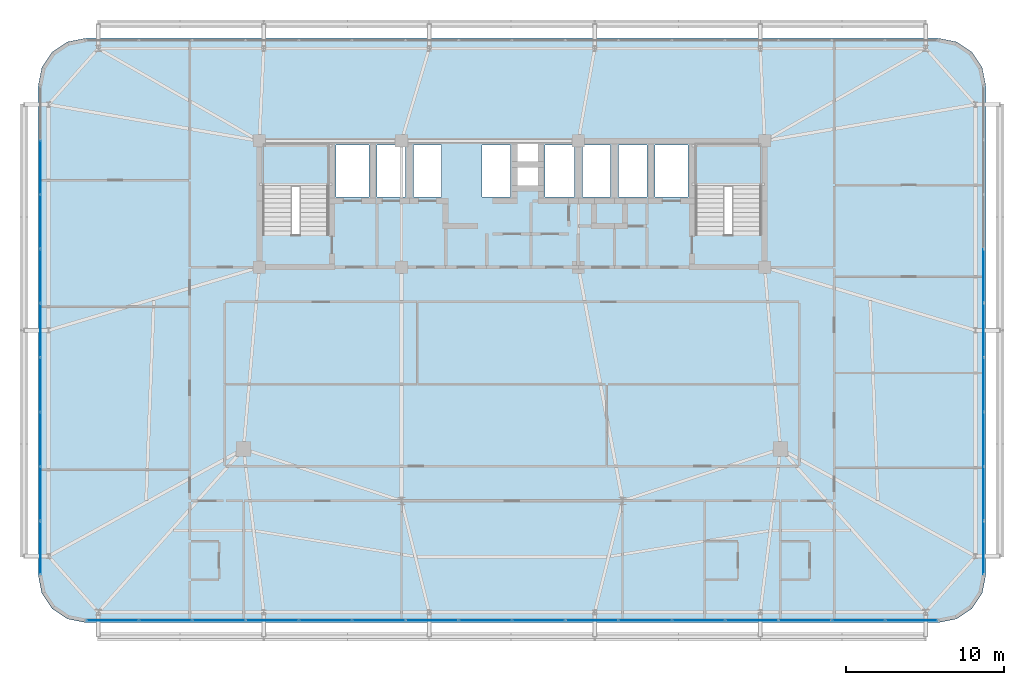
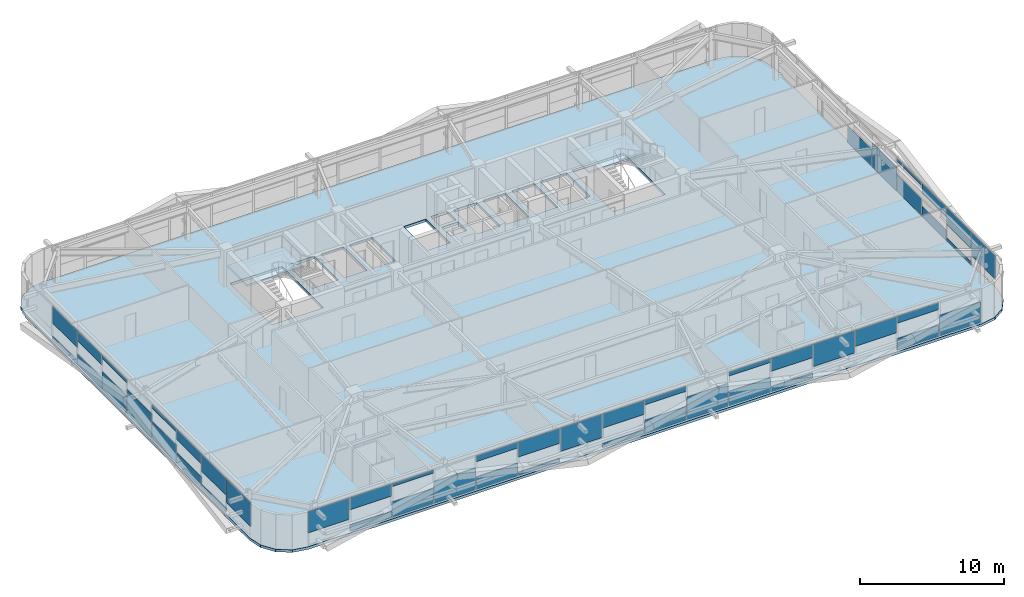
# One storey, part 42 of 59: 48 plates, 3 slabs, 5 elements without a shape of their own.
"""IFC4 building model written with IfcOpenShell, lengths in metres."""

from ifc_helpers import new_model, si_unit, direction, frame, origin, origin_2d, place, context, subcontext, project, spatial, polyline, rectangle, outline, extrude, source, transform, mapped, material, layer, layer_set, type_object, element, aggregate, save


model = new_model("IFC4")

# Units and contexts
model_context = context("Model", 3, precision=1e-05, world=origin(), true_north=direction((0.0, 1.0)))
body_context = subcontext(model_context, "Body", "Model", "MODEL_VIEW")
ifc_project = project(units=[si_unit("LENGTHUNIT", "METRE"), si_unit("AREAUNIT", "SQUARE_METRE"), si_unit("VOLUMEUNIT", "CUBIC_METRE"), si_unit("PLANEANGLEUNIT", "RADIAN"), si_unit("MASSUNIT", "GRAM", prefix="KILO")], contexts=[model_context])

# Site, building, storey
site_placement = place(None, origin())
site = spatial("IfcSite", under=ifc_project, at=site_placement, CompositionType="ELEMENT")
building_placement = place(site_placement, origin())
building = spatial("IfcBuilding", under=site, at=building_placement, Name="Taldren Reach Tower", CompositionType="ELEMENT")
storey_placement = place(building_placement, frame((0.0, 0.0, 29.39990234375)))
storey = spatial("IfcBuildingStorey", under=building, at=storey_placement, Name="L08", CompositionType="ELEMENT", Elevation=29.39990234375)

# Slab
ifc_material_1 = material(Name="Concrete N40 (40 MPa)", Category="concrete")
ifc_layer_1 = layer(ifc_material_1, 0.219970703125)
ifc_layer_set_1 = layer_set([ifc_layer_1], Name="Concrete N40 (40 MPa)")
slab_type_1 = type_object("IfcSlabType", Name="SL-FLR-220", PredefinedType="FLOOR", material=ifc_layer_set_1)
slab_1_placement = place(storey_placement, frame((0.0, 0.0, -0.219970703125)))
element("IfcSlab", 1, at=slab_1_placement, inside=storey, type_object=slab_type_1, Name="Suspended floor slab L08", PredefinedType="FLOOR", context=body_context, shape_type="SweptSolid", body=[
    extrude(outline(polyline([(62.0, 1.5), (63.14794921875, 1.728271484375), (64.121337890625, 2.378662109375), (64.771728515625, 3.35205078125), (65.0, 4.5), (65.0, 35.5), (64.771728515625, 36.64794921875), (64.121337890625, 37.621337890625), (63.14794921875, 38.271728515625), (62.0, 38.5), (8.0, 38.5), (6.85205078125, 38.271728515625), (5.878662109375, 37.621337890625), (5.228271484375, 36.64794921875), (5.0, 35.5), (5.0, 4.5), (5.228271484375, 3.35205078125), (5.878662109375, 2.378662109375), (6.85205078125, 1.728271484375), (8.0, 1.5), (62.0, 1.5)]), holes=[polyline([(19.219970703125, 26.050048828125), (23.3798828125, 26.050048828125), (23.3798828125, 31.820068359375), (19.219970703125, 31.820068359375), (19.219970703125, 26.050048828125)]), polyline([(46.6201171875, 26.050048828125), (50.780029296875, 26.050048828125), (50.780029296875, 31.820068359375), (46.6201171875, 31.820068359375), (46.6201171875, 26.050048828125)]), polyline([(23.85009765625, 28.449951171875), (25.949951171875, 28.449951171875), (25.949951171875, 31.75), (23.85009765625, 31.75), (23.85009765625, 28.449951171875)]), polyline([(44.050048828125, 28.449951171875), (46.14990234375, 28.449951171875), (46.14990234375, 31.75), (44.050048828125, 31.75), (44.050048828125, 28.449951171875)]), polyline([(26.449951171875, 28.449951171875), (28.25, 28.449951171875), (28.25, 31.75), (26.449951171875, 31.75), (26.449951171875, 28.449951171875)]), polyline([(28.75, 28.449951171875), (30.550048828125, 28.449951171875), (30.550048828125, 31.75), (28.75, 31.75), (28.75, 28.449951171875)]), polyline([(33.10009765625, 28.449951171875), (34.89990234375, 28.449951171875), (34.89990234375, 31.75), (33.10009765625, 31.75), (33.10009765625, 28.449951171875)]), polyline([(37.10009765625, 28.449951171875), (38.949951171875, 28.449951171875), (38.949951171875, 31.75), (37.10009765625, 31.75), (37.10009765625, 28.449951171875)]), polyline([(39.449951171875, 28.449951171875), (41.25, 28.449951171875), (41.25, 31.75), (39.449951171875, 31.75), (39.449951171875, 28.449951171875)]), polyline([(41.75, 28.449951171875), (43.550048828125, 28.449951171875), (43.550048828125, 31.75), (41.75, 31.75), (41.75, 28.449951171875)]), polyline([(35.35009765625, 30.64990234375), (36.64990234375, 30.64990234375), (36.64990234375, 31.85009765625), (35.35009765625, 31.85009765625), (35.35009765625, 30.64990234375)]), polyline([(35.35009765625, 29.14990234375), (36.64990234375, 29.14990234375), (36.64990234375, 30.35009765625), (35.35009765625, 30.35009765625), (35.35009765625, 29.14990234375)])]), origin(), (0.0, 0.0, 1.0), 0.219970703125),
])

# Stair, slab
ifc_material_2 = material(Name="Concrete S50 (50 MPa)", Category="concrete")
stair_type = type_object("IfcStairType", Name="ST-HT-315", PredefinedType="HALF_TURN_STAIR", material=ifc_material_2)
stair_1_placement = place(storey_placement, origin())
stair_1 = element("IfcStair", 2, at=stair_1_placement, inside=storey, type_object=stair_type, Name="Fire-isolated exit stair ST1 L08", PredefinedType="HALF_TURN_STAIR")
ifc_layer_2 = layer(ifc_material_2, 0.179931640625)
ifc_layer_set_2 = layer_set([ifc_layer_2], Name="Concrete S50 (50 MPa)")
slab_type_2 = type_object("IfcSlabType", Name="SL-LAND-180", PredefinedType="LANDING", material=ifc_layer_set_2)
slab_2_placement = place(storey_placement, frame((0.0, 0.0, 1.39501953125)))
slab_2 = element("IfcSlab", 3, at=slab_2_placement, type_object=slab_type_2, Name="ST1 landing 1", PredefinedType="LANDING", context=body_context, shape_type="SweptSolid", body=[
    extrude(outline(polyline([(19.0400390625, 29.135009765625), (23.56005859375, 29.135009765625), (23.56005859375, 31.8701171875), (19.0400390625, 31.8701171875), (19.0400390625, 29.135009765625)])), origin(), (0.0, 0.0, 1.0), 0.18017578125),
])
aggregate(stair_1, [slab_2])

stair_2_placement = place(storey_placement, origin())
stair_2 = element("IfcStair", 4, at=stair_2_placement, inside=storey, type_object=stair_type, Name="Fire-isolated exit stair ST2 L08", PredefinedType="HALF_TURN_STAIR")
slab_3_placement = place(storey_placement, frame((0.0, 0.0, 1.39501953125)))
slab_3 = element("IfcSlab", 5, at=slab_3_placement, type_object=slab_type_2, Name="ST2 landing 1", PredefinedType="LANDING", context=body_context, shape_type="SweptSolid", body=[
    extrude(outline(polyline([(46.43994140625, 29.135009765625), (50.9599609375, 29.135009765625), (50.9599609375, 31.8701171875), (46.43994140625, 31.8701171875), (46.43994140625, 29.135009765625)])), origin(), (0.0, 0.0, 1.0), 0.18017578125),
])
aggregate(stair_2, [slab_3])

# Curtain wall, plates
ifc_material_3 = material(Name="Aluminium and Low-E Glass Unitised System", Category="aluminium")
ifc_layer_3 = layer(ifc_material_3, 0.159912109375)
ifc_layer_set_3 = layer_set([ifc_layer_3], Name="Aluminium and Low-E Glass Unitised System")
curtain_wall_type = type_object("IfcCurtainWallType", Name="CW-SYS-2", PredefinedType="NOTDEFINED", material=ifc_layer_set_3)
curtain_wall_1_placement = place(storey_placement, origin())
curtain_wall_1 = element("IfcCurtainWall", 6, at=curtain_wall_1_placement, inside=storey, type_object=curtain_wall_type, Name="Unitised curtain wall CW-L08-S", PredefinedType="NOTDEFINED")
ifc_material_4 = material(Name="Solar-Control Double Glazed IGU", Category="glass")
ifc_layer_4 = layer(ifc_material_4, 0.031982421875)
ifc_layer_set_4 = layer_set([ifc_layer_4], Name="Solar-Control Double Glazed IGU")
plate_type = type_object("IfcPlateType", Name="CW-PNL-IGU32", PredefinedType="CURTAIN_PANEL", material=ifc_layer_set_4)
shared_shape_1 = source(origin(), body_context, "Body", "SweptSolid", [
    extrude(rectangle(XDim=3.277587890625, YDim=0.031982421875, at=origin_2d()), origin(), (0.0, 0.0, 1.0), 1.73876953125),
])
plate_1_placement = place(storey_placement, frame((60.296142578125, 1.639892578125, 0.05517578125), z_axis=(0.0, 0.0, 1.0), x_axis=(1.0, 0.0, 0.0)))
plate_1 = element("IfcPlate", 7, at=plate_1_placement, type_object=plate_type, Name="CW-2 panel 16.1 part 1", PredefinedType="CURTAIN_PANEL", context=body_context, shape_type="MappedRepresentation", body=[
    mapped(shared_shape_1, transform((0.0, 0.0, 0.0), scale=1.0)),
])
shared_shape_2 = source(origin(), body_context, "Body", "SweptSolid", [
    extrude(rectangle(XDim=3.31005859375, YDim=0.031982421875, at=origin_2d()), origin(), (0.0, 0.0, 1.0), 0.9560546875),
])
plate_2_placement = place(storey_placement, frame((56.9375, 1.639892578125, 0.05517578125), z_axis=(0.0, 0.0, 1.0), x_axis=(1.0, 0.0, 0.0)))
plate_2 = element("IfcPlate", 8, at=plate_2_placement, type_object=plate_type, Name="CW-2 panel 15.1 part 1", PredefinedType="CURTAIN_PANEL", context=body_context, shape_type="MappedRepresentation", body=[
    mapped(shared_shape_2, transform((0.0, 0.0, 0.0), scale=1.0)),
])
shared_shape_3 = source(origin(), body_context, "Body", "SweptSolid", [
    extrude(rectangle(XDim=3.31005859375, YDim=0.031982421875, at=origin_2d()), origin(), (0.0, 0.0, 1.0), 0.562744140625),
])
plate_3_placement = place(storey_placement, frame((56.9375, 1.639892578125, 2.3125), z_axis=(0.0, 0.0, 1.0), x_axis=(1.0, 0.0, 0.0)))
plate_3 = element("IfcPlate", 9, at=plate_3_placement, type_object=plate_type, Name="CW-2 panel 15.1 part 2", PredefinedType="CURTAIN_PANEL", context=body_context, shape_type="MappedRepresentation", body=[
    mapped(shared_shape_3, transform((0.0, 0.0, 0.0), scale=1.0)),
])
shared_shape_4 = source(origin(), body_context, "Body", "SweptSolid", [
    extrude(rectangle(XDim=3.31005859375, YDim=0.031982421875, at=origin_2d()), origin(), (0.0, 0.0, 1.0), 1.345458984375),
])
plate_4_placement = place(storey_placement, frame((53.5625, 1.639892578125, 1.52978515625), z_axis=(0.0, 0.0, 1.0), x_axis=(1.0, 0.0, 0.0)))
plate_4 = element("IfcPlate", 10, at=plate_4_placement, type_object=plate_type, Name="CW-2 panel 14.1 part 1", PredefinedType="CURTAIN_PANEL", context=body_context, shape_type="MappedRepresentation", body=[
    mapped(shared_shape_4, transform((0.0, 0.0, 0.0), scale=1.0)),
])
shared_shape_5 = source(origin(), body_context, "Body", "SweptSolid", [
    extrude(rectangle(XDim=3.31005859375, YDim=0.031982421875, at=origin_2d()), origin(), (0.0, 0.0, 1.0), 1.881103515625),
])
plate_5_placement = place(storey_placement, frame((50.1875, 1.639892578125, 0.994140625), z_axis=(0.0, 0.0, 1.0), x_axis=(1.0, 0.0, 0.0)))
plate_5 = element("IfcPlate", 11, at=plate_5_placement, type_object=plate_type, Name="CW-2 panel 13.1 part 1", PredefinedType="CURTAIN_PANEL", context=body_context, shape_type="MappedRepresentation", body=[
    mapped(shared_shape_5, transform((0.0, 0.0, 0.0), scale=1.0)),
])
shared_shape_6 = source(origin(), body_context, "Body", "SweptSolid", [
    extrude(rectangle(XDim=3.31005859375, YDim=0.031982421875, at=origin_2d()), origin(), (0.0, 0.0, 1.0), 0.42041015625),
])
plate_6_placement = place(storey_placement, frame((46.8125, 1.639892578125, 0.05517578125), z_axis=(0.0, 0.0, 1.0), x_axis=(1.0, 0.0, 0.0)))
plate_6 = element("IfcPlate", 12, at=plate_6_placement, type_object=plate_type, Name="CW-2 panel 12.1 part 1", PredefinedType="CURTAIN_PANEL", context=body_context, shape_type="MappedRepresentation", body=[
    mapped(shared_shape_6, transform((0.0, 0.0, 0.0), scale=1.0)),
])
shared_shape_7 = source(origin(), body_context, "Body", "SweptSolid", [
    extrude(rectangle(XDim=3.31005859375, YDim=0.031982421875, at=origin_2d()), origin(), (0.0, 0.0, 1.0), 1.098388671875),
])
plate_7_placement = place(storey_placement, frame((46.8125, 1.639892578125, 1.77685546875), z_axis=(0.0, 0.0, 1.0), x_axis=(1.0, 0.0, 0.0)))
plate_7 = element("IfcPlate", 13, at=plate_7_placement, type_object=plate_type, Name="CW-2 panel 12.1 part 2", PredefinedType="CURTAIN_PANEL", context=body_context, shape_type="MappedRepresentation", body=[
    mapped(shared_shape_7, transform((0.0, 0.0, 0.0), scale=1.0)),
])
shared_shape_8 = source(origin(), body_context, "Body", "SweptSolid", [
    extrude(rectangle(XDim=3.31005859375, YDim=0.031982421875, at=origin_2d()), origin(), (0.0, 0.0, 1.0), 1.203125),
])
plate_8_placement = place(storey_placement, frame((43.4375, 1.639892578125, 0.05517578125), z_axis=(0.0, 0.0, 1.0), x_axis=(1.0, 0.0, 0.0)))
plate_8 = element("IfcPlate", 14, at=plate_8_placement, type_object=plate_type, Name="CW-2 panel 11.1 part 1", PredefinedType="CURTAIN_PANEL", context=body_context, shape_type="MappedRepresentation", body=[
    mapped(shared_shape_8, transform((0.0, 0.0, 0.0), scale=1.0)),
])
shared_shape_9 = source(origin(), body_context, "Body", "SweptSolid", [
    extrude(rectangle(XDim=3.31005859375, YDim=0.031982421875, at=origin_2d()), origin(), (0.0, 0.0, 1.0), 0.31591796875),
])
plate_9_placement = place(storey_placement, frame((43.4375, 1.639892578125, 2.55908203125), z_axis=(0.0, 0.0, 1.0), x_axis=(1.0, 0.0, 0.0)))
plate_9 = element("IfcPlate", 15, at=plate_9_placement, type_object=plate_type, Name="CW-2 panel 11.1 part 2", PredefinedType="CURTAIN_PANEL", context=body_context, shape_type="MappedRepresentation", body=[
    mapped(shared_shape_9, transform((0.0, 0.0, 0.0), scale=1.0)),
])
shared_shape_10 = source(origin(), body_context, "Body", "SweptSolid", [
    extrude(rectangle(XDim=3.31005859375, YDim=0.031982421875, at=origin_2d()), origin(), (0.0, 0.0, 1.0), 1.9033203125),
])
plate_10_placement = place(storey_placement, frame((40.0625, 1.639892578125, 0.05517578125), z_axis=(0.0, 0.0, 1.0), x_axis=(1.0, 0.0, 0.0)))
plate_10 = element("IfcPlate", 16, at=plate_10_placement, type_object=plate_type, Name="CW-2 panel 10.1 part 1", PredefinedType="CURTAIN_PANEL", context=body_context, shape_type="MappedRepresentation", body=[
    mapped(shared_shape_10, transform((0.0, 0.0, 0.0), scale=1.0)),
])
shared_shape_11 = source(origin(), body_context, "Body", "SweptSolid", [
    extrude(rectangle(XDim=3.31005859375, YDim=0.031982421875, at=origin_2d()), origin(), (0.0, 0.0, 1.0), 1.120849609375),
])
plate_11_placement = place(storey_placement, frame((36.6875, 1.639892578125, 0.05517578125), z_axis=(0.0, 0.0, 1.0), x_axis=(1.0, 0.0, 0.0)))
plate_11 = element("IfcPlate", 17, at=plate_11_placement, type_object=plate_type, Name="CW-2 panel 9.1 part 1", PredefinedType="CURTAIN_PANEL", context=body_context, shape_type="MappedRepresentation", body=[
    mapped(shared_shape_11, transform((0.0, 0.0, 0.0), scale=1.0)),
])
shared_shape_12 = source(origin(), body_context, "Body", "SweptSolid", [
    extrude(rectangle(XDim=3.31005859375, YDim=0.031982421875, at=origin_2d()), origin(), (0.0, 0.0, 1.0), 0.398193359375),
])
plate_12_placement = place(storey_placement, frame((36.6875, 1.639892578125, 2.47705078125), z_axis=(0.0, 0.0, 1.0), x_axis=(1.0, 0.0, 0.0)))
plate_12 = element("IfcPlate", 18, at=plate_12_placement, type_object=plate_type, Name="CW-2 panel 9.1 part 2", PredefinedType="CURTAIN_PANEL", context=body_context, shape_type="MappedRepresentation", body=[
    mapped(shared_shape_12, transform((0.0, 0.0, 0.0), scale=1.0)),
])
shared_shape_13 = source(origin(), body_context, "Body", "SweptSolid", [
    extrude(rectangle(XDim=3.31005859375, YDim=0.031982421875, at=origin_2d()), origin(), (0.0, 0.0, 1.0), 0.338134765625),
])
plate_13_placement = place(storey_placement, frame((33.3125, 1.639892578125, 0.05517578125), z_axis=(0.0, 0.0, 1.0), x_axis=(1.0, 0.0, 0.0)))
plate_13 = element("IfcPlate", 19, at=plate_13_placement, type_object=plate_type, Name="CW-2 panel 8.1 part 1", PredefinedType="CURTAIN_PANEL", context=body_context, shape_type="MappedRepresentation", body=[
    mapped(shared_shape_13, transform((0.0, 0.0, 0.0), scale=1.0)),
])
shared_shape_14 = source(origin(), body_context, "Body", "SweptSolid", [
    extrude(rectangle(XDim=3.31005859375, YDim=0.031982421875, at=origin_2d()), origin(), (0.0, 0.0, 1.0), 1.1806640625),
])
plate_14_placement = place(storey_placement, frame((33.3125, 1.639892578125, 1.6943359375), z_axis=(0.0, 0.0, 1.0), x_axis=(1.0, 0.0, 0.0)))
plate_14 = element("IfcPlate", 20, at=plate_14_placement, type_object=plate_type, Name="CW-2 panel 8.1 part 2", PredefinedType="CURTAIN_PANEL", context=body_context, shape_type="MappedRepresentation", body=[
    mapped(shared_shape_14, transform((0.0, 0.0, 0.0), scale=1.0)),
])
shared_shape_15 = source(origin(), body_context, "Body", "SweptSolid", [
    extrude(rectangle(XDim=3.31005859375, YDim=0.031982421875, at=origin_2d()), origin(), (0.0, 0.0, 1.0), 1.96337890625),
])
plate_15_placement = place(storey_placement, frame((29.9375, 1.639892578125, 0.91162109375), z_axis=(0.0, 0.0, 1.0), x_axis=(1.0, 0.0, 0.0)))
plate_15 = element("IfcPlate", 21, at=plate_15_placement, type_object=plate_type, Name="CW-2 panel 7.1 part 1", PredefinedType="CURTAIN_PANEL", context=body_context, shape_type="MappedRepresentation", body=[
    mapped(shared_shape_15, transform((0.0, 0.0, 0.0), scale=1.0)),
])
shared_shape_16 = source(origin(), body_context, "Body", "SweptSolid", [
    extrude(rectangle(XDim=3.31005859375, YDim=0.031982421875, at=origin_2d()), origin(), (0.0, 0.0, 1.0), 0.255859375),
])
plate_16_placement = place(storey_placement, frame((26.5625, 1.639892578125, 0.05517578125), z_axis=(0.0, 0.0, 1.0), x_axis=(1.0, 0.0, 0.0)))
plate_16 = element("IfcPlate", 22, at=plate_16_placement, type_object=plate_type, Name="CW-2 panel 6.1 part 1", PredefinedType="CURTAIN_PANEL", context=body_context, shape_type="MappedRepresentation", body=[
    mapped(shared_shape_16, transform((0.0, 0.0, 0.0), scale=1.0)),
])
shared_shape_17 = source(origin(), body_context, "Body", "SweptSolid", [
    extrude(rectangle(XDim=3.31005859375, YDim=0.031982421875, at=origin_2d()), origin(), (0.0, 0.0, 1.0), 1.26318359375),
])
plate_17_placement = place(storey_placement, frame((26.5625, 1.639892578125, 1.612060546875), z_axis=(0.0, 0.0, 1.0), x_axis=(1.0, 0.0, 0.0)))
plate_17 = element("IfcPlate", 23, at=plate_17_placement, type_object=plate_type, Name="CW-2 panel 6.1 part 2", PredefinedType="CURTAIN_PANEL", context=body_context, shape_type="MappedRepresentation", body=[
    mapped(shared_shape_17, transform((0.0, 0.0, 0.0), scale=1.0)),
])
shared_shape_18 = source(origin(), body_context, "Body", "SweptSolid", [
    extrude(rectangle(XDim=3.31005859375, YDim=0.031982421875, at=origin_2d()), origin(), (0.0, 0.0, 1.0), 1.03857421875),
])
plate_18_placement = place(storey_placement, frame((23.1875, 1.639892578125, 0.054931640625), z_axis=(0.0, 0.0, 1.0), x_axis=(1.0, 0.0, 0.0)))
plate_18 = element("IfcPlate", 24, at=plate_18_placement, type_object=plate_type, Name="CW-2 panel 5.1 part 1", PredefinedType="CURTAIN_PANEL", context=body_context, shape_type="MappedRepresentation", body=[
    mapped(shared_shape_18, transform((0.0, 0.0, 0.0), scale=1.0)),
])
shared_shape_19 = source(origin(), body_context, "Body", "SweptSolid", [
    extrude(rectangle(XDim=3.31005859375, YDim=0.031982421875, at=origin_2d()), origin(), (0.0, 0.0, 1.0), 0.48046875),
])
plate_19_placement = place(storey_placement, frame((23.1875, 1.639892578125, 2.39453125), z_axis=(0.0, 0.0, 1.0), x_axis=(1.0, 0.0, 0.0)))
plate_19 = element("IfcPlate", 25, at=plate_19_placement, type_object=plate_type, Name="CW-2 panel 5.1 part 2", PredefinedType="CURTAIN_PANEL", context=body_context, shape_type="MappedRepresentation", body=[
    mapped(shared_shape_19, transform((0.0, 0.0, 0.0), scale=1.0)),
])
shared_shape_20 = source(origin(), body_context, "Body", "SweptSolid", [
    extrude(rectangle(XDim=3.31005859375, YDim=0.031982421875, at=origin_2d()), origin(), (0.0, 0.0, 1.0), 1.821044921875),
])
plate_20_placement = place(storey_placement, frame((19.8125, 1.639892578125, 0.05517578125), z_axis=(0.0, 0.0, 1.0), x_axis=(1.0, 0.0, 0.0)))
plate_20 = element("IfcPlate", 26, at=plate_20_placement, type_object=plate_type, Name="CW-2 panel 4.1 part 1", PredefinedType="CURTAIN_PANEL", context=body_context, shape_type="MappedRepresentation", body=[
    mapped(shared_shape_20, transform((0.0, 0.0, 0.0), scale=1.0)),
])
shared_shape_21 = source(origin(), body_context, "Body", "SweptSolid", [
    extrude(rectangle(XDim=3.31005859375, YDim=0.031982421875, at=origin_2d()), origin(), (0.0, 0.0, 1.0), 1.285400390625),
])
plate_21_placement = place(storey_placement, frame((16.4375, 1.639892578125, 0.05517578125), z_axis=(0.0, 0.0, 1.0), x_axis=(1.0, 0.0, 0.0)))
plate_21 = element("IfcPlate", 27, at=plate_21_placement, type_object=plate_type, Name="CW-2 panel 3.1 part 1", PredefinedType="CURTAIN_PANEL", context=body_context, shape_type="MappedRepresentation", body=[
    mapped(shared_shape_21, transform((0.0, 0.0, 0.0), scale=1.0)),
])
shared_shape_22 = source(origin(), body_context, "Body", "SweptSolid", [
    extrude(rectangle(XDim=3.31005859375, YDim=0.031982421875, at=origin_2d()), origin(), (0.0, 0.0, 1.0), 0.233642578125),
])
plate_22_placement = place(storey_placement, frame((16.4375, 1.639892578125, 2.6416015625), z_axis=(0.0, 0.0, 1.0), x_axis=(1.0, 0.0, 0.0)))
plate_22 = element("IfcPlate", 28, at=plate_22_placement, type_object=plate_type, Name="CW-2 panel 3.1 part 2", PredefinedType="CURTAIN_PANEL", context=body_context, shape_type="MappedRepresentation", body=[
    mapped(shared_shape_22, transform((0.0, 0.0, 0.0), scale=1.0)),
])
shared_shape_23 = source(origin(), body_context, "Body", "SweptSolid", [
    extrude(rectangle(XDim=3.31005859375, YDim=0.031982421875, at=origin_2d()), origin(), (0.0, 0.0, 1.0), 0.5029296875),
])
plate_23_placement = place(storey_placement, frame((13.0625, 1.639892578125, 0.054931640625), z_axis=(0.0, 0.0, 1.0), x_axis=(1.0, 0.0, 0.0)))
plate_23 = element("IfcPlate", 29, at=plate_23_placement, type_object=plate_type, Name="CW-2 panel 2.1 part 1", PredefinedType="CURTAIN_PANEL", context=body_context, shape_type="MappedRepresentation", body=[
    mapped(shared_shape_23, transform((0.0, 0.0, 0.0), scale=1.0)),
])
shared_shape_24 = source(origin(), body_context, "Body", "SweptSolid", [
    extrude(rectangle(XDim=3.31005859375, YDim=0.031982421875, at=origin_2d()), origin(), (0.0, 0.0, 1.0), 1.01611328125),
])
plate_24_placement = place(storey_placement, frame((13.0625, 1.639892578125, 1.85888671875), z_axis=(0.0, 0.0, 1.0), x_axis=(1.0, 0.0, 0.0)))
plate_24 = element("IfcPlate", 30, at=plate_24_placement, type_object=plate_type, Name="CW-2 panel 2.1 part 2", PredefinedType="CURTAIN_PANEL", context=body_context, shape_type="MappedRepresentation", body=[
    mapped(shared_shape_24, transform((0.0, 0.0, 0.0), scale=1.0)),
])
shared_shape_25 = source(origin(), body_context, "Body", "SweptSolid", [
    extrude(rectangle(XDim=3.277587890625, YDim=0.031982421875, at=origin_2d()), origin(), (0.0, 0.0, 1.0), 1.798583984375),
])
plate_25_placement = place(storey_placement, frame((9.703857421875, 1.639892578125, 1.07666015625), z_axis=(0.0, 0.0, 1.0), x_axis=(1.0, 0.0, 0.0)))
plate_25 = element("IfcPlate", 31, at=plate_25_placement, type_object=plate_type, Name="CW-2 panel 1.1 part 1", PredefinedType="CURTAIN_PANEL", context=body_context, shape_type="MappedRepresentation", body=[
    mapped(shared_shape_25, transform((0.0, 0.0, 0.0), scale=1.0)),
])
aggregate(curtain_wall_1, [plate_25, plate_23, plate_24, plate_21, plate_22, plate_20, plate_18, plate_19, plate_16, plate_17, plate_15, plate_13, plate_14, plate_11, plate_12, plate_10, plate_8, plate_9, plate_6, plate_7, plate_5, plate_4, plate_2, plate_3, plate_1])

# Curtain wall, plate
curtain_wall_2_placement = place(storey_placement, origin())
curtain_wall_2 = element("IfcCurtainWall", 32, at=curtain_wall_2_placement, inside=storey, type_object=curtain_wall_type, Name="Unitised curtain wall CW-L08-W", PredefinedType="NOTDEFINED")
shared_shape_26 = source(origin(), body_context, "Body", "SweptSolid", [
    extrude(rectangle(XDim=3.346923828125, YDim=0.031982421875, at=origin_2d()), origin(), (0.0, 0.0, 1.0), 2.015380859375),
])
plate_26_placement = place(storey_placement, frame((5.139892578125, 6.238525390625, 0.85986328125), z_axis=(0.0, 0.0, 1.0), x_axis=(0.0, -1.0, 0.0)))
plate_26 = element("IfcPlate", 33, at=plate_26_placement, type_object=plate_type, Name="CW-2 panel 9.1 part 1", PredefinedType="CURTAIN_PANEL", context=body_context, shape_type="MappedRepresentation", body=[
    mapped(shared_shape_26, transform((0.0, 0.0, 0.0), scale=1.0)),
])

curtain_wall_3_placement = place(storey_placement, origin())
curtain_wall_3 = element("IfcCurtainWall", 34, at=curtain_wall_3_placement, inside=storey, type_object=curtain_wall_type, Name="Unitised curtain wall CW-L08-E", PredefinedType="NOTDEFINED")
plate_27_placement = place(storey_placement, frame((64.860107421875, 6.238525390625, 0.85986328125), z_axis=(0.0, 0.0, 1.0), x_axis=(0.0, 1.0, 0.0)))
plate_27 = element("IfcPlate", 35, at=plate_27_placement, type_object=plate_type, Name="CW-2 panel 1.1 part 1", PredefinedType="CURTAIN_PANEL", context=body_context, shape_type="MappedRepresentation", body=[
    mapped(shared_shape_26, transform((0.0, 0.0, 0.0), scale=1.0)),
])

# Plate
shared_shape_27 = source(origin(), body_context, "Body", "SweptSolid", [
    extrude(rectangle(XDim=3.37939453125, YDim=0.031982421875, at=origin_2d()), origin(), (0.0, 0.0, 1.0), 0.288330078125),
])
plate_28_placement = place(storey_placement, frame((5.139892578125, 30.333251953125, 0.05517578125), z_axis=(0.0, 0.0, 1.0), x_axis=(0.0, -1.0, 0.0)))
plate_28 = element("IfcPlate", 36, at=plate_28_placement, type_object=plate_type, Name="CW-2 panel 2.1 part 1", PredefinedType="CURTAIN_PANEL", context=body_context, shape_type="MappedRepresentation", body=[
    mapped(shared_shape_27, transform((0.0, 0.0, 0.0), scale=1.0)),
])

plate_29_placement = place(storey_placement, frame((5.139892578125, 9.666748046875, 0.05517578125), z_axis=(0.0, 0.0, 1.0), x_axis=(0.0, -1.0, 0.0)))
plate_29 = element("IfcPlate", 37, at=plate_29_placement, type_object=plate_type, Name="CW-2 panel 8.1 part 1", PredefinedType="CURTAIN_PANEL", context=body_context, shape_type="MappedRepresentation", body=[
    mapped(shared_shape_27, transform((0.0, 0.0, 0.0), scale=1.0)),
])

plate_30_placement = place(storey_placement, frame((64.860107421875, 9.666748046875, 0.05517578125), z_axis=(0.0, 0.0, 1.0), x_axis=(0.0, 1.0, 0.0)))
plate_30 = element("IfcPlate", 38, at=plate_30_placement, type_object=plate_type, Name="CW-2 panel 2.1 part 1", PredefinedType="CURTAIN_PANEL", context=body_context, shape_type="MappedRepresentation", body=[
    mapped(shared_shape_27, transform((0.0, 0.0, 0.0), scale=1.0)),
])

shared_shape_28 = source(origin(), body_context, "Body", "SweptSolid", [
    extrude(rectangle(XDim=3.37939453125, YDim=0.031982421875, at=origin_2d()), origin(), (0.0, 0.0, 1.0), 1.43017578125),
])
plate_31_placement = place(storey_placement, frame((5.139892578125, 30.333251953125, 1.44482421875), z_axis=(0.0, 0.0, 1.0), x_axis=(0.0, -1.0, 0.0)))
plate_31 = element("IfcPlate", 39, at=plate_31_placement, type_object=plate_type, Name="CW-2 panel 2.1 part 2", PredefinedType="CURTAIN_PANEL", context=body_context, shape_type="MappedRepresentation", body=[
    mapped(shared_shape_28, transform((0.0, 0.0, 0.0), scale=1.0)),
])

plate_32_placement = place(storey_placement, frame((5.139892578125, 9.666748046875, 1.44482421875), z_axis=(0.0, 0.0, 1.0), x_axis=(0.0, -1.0, 0.0)))
plate_32 = element("IfcPlate", 40, at=plate_32_placement, type_object=plate_type, Name="CW-2 panel 8.1 part 2", PredefinedType="CURTAIN_PANEL", context=body_context, shape_type="MappedRepresentation", body=[
    mapped(shared_shape_28, transform((0.0, 0.0, 0.0), scale=1.0)),
])

plate_33_placement = place(storey_placement, frame((64.860107421875, 9.666748046875, 1.44482421875), z_axis=(0.0, 0.0, 1.0), x_axis=(0.0, 1.0, 0.0)))
plate_33 = element("IfcPlate", 41, at=plate_33_placement, type_object=plate_type, Name="CW-2 panel 2.1 part 2", PredefinedType="CURTAIN_PANEL", context=body_context, shape_type="MappedRepresentation", body=[
    mapped(shared_shape_28, transform((0.0, 0.0, 0.0), scale=1.0)),
])

shared_shape_29 = source(origin(), body_context, "Body", "SweptSolid", [
    extrude(rectangle(XDim=3.37939453125, YDim=0.031982421875, at=origin_2d()), origin(), (0.0, 0.0, 1.0), 0.87353515625),
])
plate_34_placement = place(storey_placement, frame((5.139892578125, 26.888916015625, 0.05517578125), z_axis=(0.0, 0.0, 1.0), x_axis=(0.0, -1.0, 0.0)))
plate_34 = element("IfcPlate", 42, at=plate_34_placement, type_object=plate_type, Name="CW-2 panel 3.1 part 1", PredefinedType="CURTAIN_PANEL", context=body_context, shape_type="MappedRepresentation", body=[
    mapped(shared_shape_29, transform((0.0, 0.0, 0.0), scale=1.0)),
])

plate_35_placement = place(storey_placement, frame((5.139892578125, 13.111083984375, 0.05517578125), z_axis=(0.0, 0.0, 1.0), x_axis=(0.0, -1.0, 0.0)))
plate_35 = element("IfcPlate", 43, at=plate_35_placement, type_object=plate_type, Name="CW-2 panel 7.1 part 1", PredefinedType="CURTAIN_PANEL", context=body_context, shape_type="MappedRepresentation", body=[
    mapped(shared_shape_29, transform((0.0, 0.0, 0.0), scale=1.0)),
])

plate_36_placement = place(storey_placement, frame((64.860107421875, 13.111083984375, 0.05517578125), z_axis=(0.0, 0.0, 1.0), x_axis=(0.0, 1.0, 0.0)))
plate_36 = element("IfcPlate", 44, at=plate_36_placement, type_object=plate_type, Name="CW-2 panel 3.1 part 1", PredefinedType="CURTAIN_PANEL", context=body_context, shape_type="MappedRepresentation", body=[
    mapped(shared_shape_29, transform((0.0, 0.0, 0.0), scale=1.0)),
])

shared_shape_30 = source(origin(), body_context, "Body", "SweptSolid", [
    extrude(rectangle(XDim=3.37939453125, YDim=0.031982421875, at=origin_2d()), origin(), (0.0, 0.0, 1.0), 0.8447265625),
])
plate_37_placement = place(storey_placement, frame((5.139892578125, 26.888916015625, 2.0302734375), z_axis=(0.0, 0.0, 1.0), x_axis=(0.0, -1.0, 0.0)))
plate_37 = element("IfcPlate", 45, at=plate_37_placement, type_object=plate_type, Name="CW-2 panel 3.1 part 2", PredefinedType="CURTAIN_PANEL", context=body_context, shape_type="MappedRepresentation", body=[
    mapped(shared_shape_30, transform((0.0, 0.0, 0.0), scale=1.0)),
])

plate_38_placement = place(storey_placement, frame((5.139892578125, 13.111083984375, 2.0302734375), z_axis=(0.0, 0.0, 1.0), x_axis=(0.0, -1.0, 0.0)))
plate_38 = element("IfcPlate", 46, at=plate_38_placement, type_object=plate_type, Name="CW-2 panel 7.1 part 2", PredefinedType="CURTAIN_PANEL", context=body_context, shape_type="MappedRepresentation", body=[
    mapped(shared_shape_30, transform((0.0, 0.0, 0.0), scale=1.0)),
])

plate_39_placement = place(storey_placement, frame((64.860107421875, 13.111083984375, 2.0302734375), z_axis=(0.0, 0.0, 1.0), x_axis=(0.0, 1.0, 0.0)))
plate_39 = element("IfcPlate", 47, at=plate_39_placement, type_object=plate_type, Name="CW-2 panel 3.1 part 2", PredefinedType="CURTAIN_PANEL", context=body_context, shape_type="MappedRepresentation", body=[
    mapped(shared_shape_30, transform((0.0, 0.0, 0.0), scale=1.0)),
])

shared_shape_31 = source(origin(), body_context, "Body", "SweptSolid", [
    extrude(rectangle(XDim=3.37939453125, YDim=0.031982421875, at=origin_2d()), origin(), (0.0, 0.0, 1.0), 1.458984375),
])
plate_40_placement = place(storey_placement, frame((5.139892578125, 23.4443359375, 0.054931640625), z_axis=(0.0, 0.0, 1.0), x_axis=(0.0, -1.0, 0.0)))
plate_40 = element("IfcPlate", 48, at=plate_40_placement, type_object=plate_type, Name="CW-2 panel 4.1 part 1", PredefinedType="CURTAIN_PANEL", context=body_context, shape_type="MappedRepresentation", body=[
    mapped(shared_shape_31, transform((0.0, 0.0, 0.0), scale=1.0)),
])

plate_41_placement = place(storey_placement, frame((5.139892578125, 16.5556640625, 0.054931640625), z_axis=(0.0, 0.0, 1.0), x_axis=(0.0, -1.0, 0.0)))
plate_41 = element("IfcPlate", 49, at=plate_41_placement, type_object=plate_type, Name="CW-2 panel 6.1 part 1", PredefinedType="CURTAIN_PANEL", context=body_context, shape_type="MappedRepresentation", body=[
    mapped(shared_shape_31, transform((0.0, 0.0, 0.0), scale=1.0)),
])

plate_42_placement = place(storey_placement, frame((64.860107421875, 16.5556640625, 0.054931640625), z_axis=(0.0, 0.0, 1.0), x_axis=(0.0, 1.0, 0.0)))
plate_42 = element("IfcPlate", 50, at=plate_42_placement, type_object=plate_type, Name="CW-2 panel 4.1 part 1", PredefinedType="CURTAIN_PANEL", context=body_context, shape_type="MappedRepresentation", body=[
    mapped(shared_shape_31, transform((0.0, 0.0, 0.0), scale=1.0)),
])

plate_43_placement = place(storey_placement, frame((64.860107421875, 23.4443359375, 0.054931640625), z_axis=(0.0, 0.0, 1.0), x_axis=(0.0, 1.0, 0.0)))
plate_43 = element("IfcPlate", 51, at=plate_43_placement, type_object=plate_type, Name="CW-2 panel 6.1 part 1", PredefinedType="CURTAIN_PANEL", context=body_context, shape_type="MappedRepresentation", body=[
    mapped(shared_shape_31, transform((0.0, 0.0, 0.0), scale=1.0)),
])

shared_shape_32 = source(origin(), body_context, "Body", "SweptSolid", [
    extrude(rectangle(XDim=3.37939453125, YDim=0.031982421875, at=origin_2d()), origin(), (0.0, 0.0, 1.0), 0.259521484375),
])
plate_44_placement = place(storey_placement, frame((5.139892578125, 23.4443359375, 2.61572265625), z_axis=(0.0, 0.0, 1.0), x_axis=(0.0, -1.0, 0.0)))
plate_44 = element("IfcPlate", 52, at=plate_44_placement, type_object=plate_type, Name="CW-2 panel 4.1 part 2", PredefinedType="CURTAIN_PANEL", context=body_context, shape_type="MappedRepresentation", body=[
    mapped(shared_shape_32, transform((0.0, 0.0, 0.0), scale=1.0)),
])

plate_45_placement = place(storey_placement, frame((5.139892578125, 16.5556640625, 2.61572265625), z_axis=(0.0, 0.0, 1.0), x_axis=(0.0, -1.0, 0.0)))
plate_45 = element("IfcPlate", 53, at=plate_45_placement, type_object=plate_type, Name="CW-2 panel 6.1 part 2", PredefinedType="CURTAIN_PANEL", context=body_context, shape_type="MappedRepresentation", body=[
    mapped(shared_shape_32, transform((0.0, 0.0, 0.0), scale=1.0)),
])

plate_46_placement = place(storey_placement, frame((64.860107421875, 16.5556640625, 2.61572265625), z_axis=(0.0, 0.0, 1.0), x_axis=(0.0, 1.0, 0.0)))
plate_46 = element("IfcPlate", 54, at=plate_46_placement, type_object=plate_type, Name="CW-2 panel 4.1 part 2", PredefinedType="CURTAIN_PANEL", context=body_context, shape_type="MappedRepresentation", body=[
    mapped(shared_shape_32, transform((0.0, 0.0, 0.0), scale=1.0)),
])

shared_shape_33 = source(origin(), body_context, "Body", "SweptSolid", [
    extrude(rectangle(XDim=3.37939453125, YDim=0.031982421875, at=origin_2d()), origin(), (0.0, 0.0, 1.0), 2.044189453125),
])
plate_47_placement = place(storey_placement, frame((5.139892578125, 20.0, 0.05517578125), z_axis=(0.0, 0.0, 1.0), x_axis=(0.0, -1.0, 0.0)))
plate_47 = element("IfcPlate", 55, at=plate_47_placement, type_object=plate_type, Name="CW-2 panel 5.1 part 1", PredefinedType="CURTAIN_PANEL", context=body_context, shape_type="MappedRepresentation", body=[
    mapped(shared_shape_33, transform((0.0, 0.0, 0.0), scale=1.0)),
])

aggregate(curtain_wall_2, [plate_28, plate_31, plate_34, plate_37, plate_40, plate_44, plate_47, plate_41, plate_45, plate_35, plate_38, plate_29, plate_32, plate_26])

plate_48_placement = place(storey_placement, frame((64.860107421875, 20.0, 0.05517578125), z_axis=(0.0, 0.0, 1.0), x_axis=(0.0, 1.0, 0.0)))
plate_48 = element("IfcPlate", 56, at=plate_48_placement, type_object=plate_type, Name="CW-2 panel 5.1 part 1", PredefinedType="CURTAIN_PANEL", context=body_context, shape_type="MappedRepresentation", body=[
    mapped(shared_shape_33, transform((0.0, 0.0, 0.0), scale=1.0)),
])

aggregate(curtain_wall_3, [plate_27, plate_30, plate_33, plate_36, plate_39, plate_42, plate_46, plate_48, plate_43])

save(model, "model.ifc")
